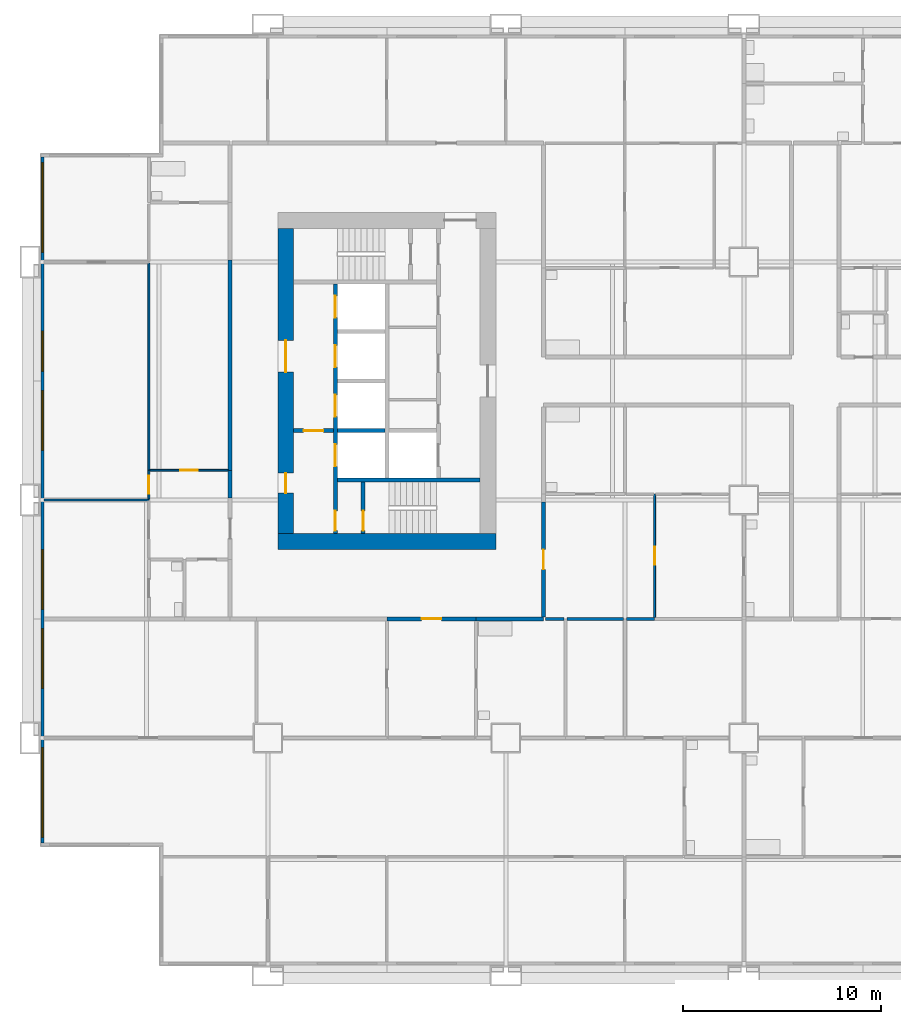
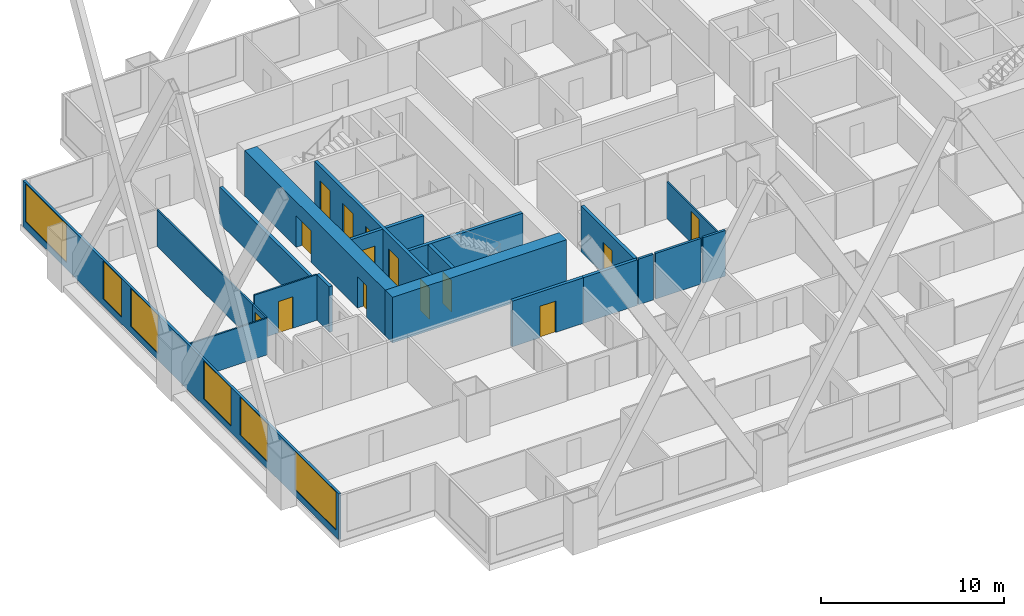
# One storey, part 3 of 13: 21 walls, 14 doors, 6 windows, 20 openings.
"""IFC4 building model written with IfcOpenShell, lengths in metres."""

from ifc_helpers import new_model, si_unit, direction, frame, frame_2d, origin, place, context, subcontext, project, spatial, rectangle, extrude, material, layer, layer_set, type_object, element, fill, save


model = new_model("IFC4")

# Units and contexts
model_context = context("Model", 3, precision=1e-05, world=origin(), true_north=direction((0.0, 1.0)))
body_context = subcontext(model_context, "Body", "Model", "MODEL_VIEW")
ifc_project = project(units=[si_unit("LENGTHUNIT", "METRE"), si_unit("AREAUNIT", "SQUARE_METRE"), si_unit("VOLUMEUNIT", "CUBIC_METRE"), si_unit("PLANEANGLEUNIT", "RADIAN"), si_unit("MASSUNIT", "GRAM", prefix="KILO")], contexts=[model_context])

# Site, building, storey
site_placement = place(None, origin())
site = spatial("IfcSite", under=ifc_project, at=site_placement, CompositionType="ELEMENT")
building_placement = place(site_placement, origin())
building = spatial("IfcBuilding", under=site, at=building_placement, Name="Kitamizu Gate Tower and Museum", CompositionType="ELEMENT")
storey_placement = place(building_placement, frame((0.0, 0.0, 71.39990234375)))
storey = spatial("IfcBuildingStorey", under=building, at=storey_placement, Name="L17", CompositionType="ELEMENT", Elevation=71.39990234375)

# Wall
ifc_material_1 = material(Name="Concrete Fc60", Category="concrete")
ifc_layer_1 = layer(ifc_material_1, 0.800048828125)
ifc_layer_set_1 = layer_set([ifc_layer_1], Name="Concrete Fc60")
wall_type_1 = type_object("IfcWallType", Name="Core wall 800", PredefinedType="SHEAR", material=ifc_layer_set_1)
wall_1_placement = place(storey_placement, frame((12.5, 21.89990234375, 0.0), z_axis=(0.0, 0.0, 1.0), x_axis=(1.0, 0.0, 0.0)))
element("IfcWall", 1, at=wall_1_placement, inside=storey, type_object=wall_type_1, Name="Core wall WS", PredefinedType="SHEAR", context=body_context, shape_type="SweptSolid", body=[
    extrude(rectangle(XDim=11.0, YDim=0.800048828125, at=frame_2d((5.5, 0.0))), origin(), (0.0, 0.0, 1.0), 3.050048828125),
])

# Wall, openings, doors
wall_2_placement = place(storey_placement, frame((12.89990234375, 22.300048828125, 0.0), z_axis=(0.0, 0.0, 1.0), x_axis=(0.0, 1.0, 0.0)))
wall_2 = element("IfcWall", 2, at=wall_2_placement, inside=storey, type_object=wall_type_1, Name="Core wall WOUT", PredefinedType="SHEAR", context=body_context, shape_type="SweptSolid", body=[
    extrude(rectangle(XDim=15.39990234375, YDim=0.800048828125, at=frame_2d((7.699951171875, 0.0))), origin(), (0.0, 0.0, 1.0), 3.050048828125),
])
opening_1_placement = place(wall_2_placement, frame((8.14990234375, 0.0, 0.0)))
opening_1 = element("IfcOpeningElement", 3, at=opening_1_placement, cuts=wall_2, Name="Opening L17-076", PredefinedType="OPENING", context=body_context, shape_type="SweptSolid", body=[
    extrude(rectangle(XDim=1.60009765625, YDim=2.10009765625, at=frame_2d((0.800048828125, 1.050048828125))), frame((0.0, 0.41015625, 0.0), z_axis=(0.0, -1.0, 0.0), x_axis=(1.0, 0.0, 0.0)), (0.0, 0.0, 1.0), 0.820068359375),
])
opening_2_placement = place(wall_2_placement, frame((2.050048828125, 0.0, 0.0)))
opening_2 = element("IfcOpeningElement", 4, at=opening_2_placement, cuts=wall_2, Name="Opening L17-077", PredefinedType="OPENING", context=body_context, shape_type="SweptSolid", body=[
    extrude(rectangle(XDim=1.0, YDim=2.10009765625, at=frame_2d((0.5, 1.050048828125))), frame((0.0, 0.41015625, 0.0), z_axis=(0.0, -1.0, 0.0), x_axis=(1.0, 0.0, 0.0)), (0.0, 0.0, 1.0), 0.820068359375),
])
ifc_material_2 = material(Name="Timber door set", Category="wood")
door_type_1 = type_object("IfcDoorType", Name="Entrance door 1600", OperationType="DOUBLE_DOOR_SINGLE_SWING", PredefinedType="DOOR", material=ifc_material_2)
door_1_placement = place(opening_1_placement, origin())
door_1 = element("IfcDoor", 5, at=door_1_placement, inside=storey, type_object=door_type_1, Name="Lobby door L17-076", OperationType="DOUBLE_DOOR_SINGLE_SWING", OverallHeight=2.10009765625, OverallWidth=1.60009765625, PredefinedType="DOOR", context=body_context, shape_type="SweptSolid", body=[
    extrude(rectangle(XDim=1.60009765625, YDim=2.10009765625, at=frame_2d((0.800048828125, 1.050048828125))), frame((0.0, 0.02490234375, 0.0), z_axis=(0.0, -1.0, 0.0), x_axis=(1.0, 0.0, 0.0)), (0.0, 0.0, 1.0), 0.050048828125),
])
fill(opening_1, door_1)
ifc_material_3 = material(Name="Hollow metal door set")
door_type_2 = type_object("IfcDoorType", Name="Fire door 1000", OperationType="NOTDEFINED", PredefinedType="DOOR", material=ifc_material_3)
door_2_placement = place(opening_2_placement, frame((1.0, 0.0, 0.0), x_axis=(-1.0, 0.0, 0.0)))
door_2 = element("IfcDoor", 6, at=door_2_placement, inside=storey, type_object=door_type_2, Name="Fire-fighting lobby door L17-077", OperationType="SINGLE_SWING_RIGHT", OverallHeight=2.10009765625, OverallWidth=1.0, PredefinedType="DOOR", context=body_context, shape_type="SweptSolid", body=[
    extrude(rectangle(XDim=1.0, YDim=2.10009765625, at=frame_2d((0.5, 1.050048828125))), frame((0.0, 0.02490234375, 0.0), z_axis=(0.0, -1.0, 0.0), x_axis=(1.0, 0.0, 0.0)), (0.0, 0.0, 1.0), 0.050048828125),
])
fill(opening_2, door_2)

# Wall, opening, door
ifc_material_4 = material(Name="Gypsum board on galvanised stud")
ifc_layer_2 = layer(ifc_material_4, 0.10009765625)
ifc_layer_set_2 = layer_set([ifc_layer_2], Name="Gypsum board on galvanised stud")
wall_type_2 = type_object("IfcWallType", Name="Partition 100 NOT RATED", PredefinedType="PARTITIONING", material=ifc_layer_set_2)
wall_3_placement = place(storey_placement, frame((31.5, 18.074951171875, 0.0), z_axis=(0.0, 0.0, 1.0), x_axis=(0.0, 1.0, 0.0)))
wall_3 = element("IfcWall", 7, at=wall_3_placement, inside=storey, type_object=wall_type_2, Name="Partition L17-038", PredefinedType="PARTITIONING", context=body_context, shape_type="SweptSolid", body=[
    extrude(rectangle(XDim=6.22509765625, YDim=0.10009765625, at=frame_2d((3.112548828125, 0.0))), origin(), (0.0, 0.0, 1.0), 2.4501953125),
])
opening_3_placement = place(wall_3_placement, frame((2.66259765625, 0.0, 0.0)))
opening_3 = element("IfcOpeningElement", 8, at=opening_3_placement, cuts=wall_3, Name="Opening L17-014", PredefinedType="OPENING", context=body_context, shape_type="SweptSolid", body=[
    extrude(rectangle(XDim=0.89990234375, YDim=2.10009765625, at=frame_2d((0.449951171875, 1.050048828125))), frame((0.0, 0.06005859375, 0.0), z_axis=(0.0, -1.0, 0.0), x_axis=(1.0, 0.0, 0.0)), (0.0, 0.0, 1.0), 0.1201171875),
])
ifc_material_5 = material(Name="Timber door set", Category="wood")
door_type_3 = type_object("IfcDoorType", Name="Room door 900", OperationType="NOTDEFINED", PredefinedType="DOOR", material=ifc_material_5)
door_3_placement = place(opening_3_placement, frame((0.89990234375, 0.0, 0.0), x_axis=(-1.0, 0.0, 0.0)))
door_3 = element("IfcDoor", 9, at=door_3_placement, inside=storey, type_object=door_type_3, Name="Door L17-014", OperationType="SINGLE_SWING_LEFT", OverallHeight=2.10009765625, OverallWidth=0.89990234375, PredefinedType="DOOR", context=body_context, shape_type="SweptSolid", body=[
    extrude(rectangle(XDim=0.89990234375, YDim=2.10009765625, at=frame_2d((0.449951171875, 1.050048828125))), frame((0.0, 0.02490234375, 0.0), z_axis=(0.0, -1.0, 0.0), x_axis=(1.0, 0.0, 0.0)), (0.0, 0.0, 1.0), 0.050048828125),
])
fill(opening_3, door_3)

# Wall
wall_4_placement = place(storey_placement, frame((6.0, 24.0, 0.0), z_axis=(0.0, 0.0, 1.0), x_axis=(-1.0, 0.0, 0.0)))
element("IfcWall", 10, at=wall_4_placement, inside=storey, type_object=wall_type_2, Name="Partition L17-054", PredefinedType="PARTITIONING", context=body_context, shape_type="SweptSolid", body=[
    extrude(rectangle(XDim=5.280029296875, YDim=0.10009765625, at=frame_2d((2.64013671875, 0.0))), origin(), (0.0, 0.0, 1.0), 2.4501953125),
])

# Wall, opening, door
wall_5_placement = place(storey_placement, frame((6.0, 24.050048828125, 0.0), z_axis=(0.0, 0.0, 1.0), x_axis=(0.0, 1.0, 0.0)))
wall_5 = element("IfcWall", 11, at=wall_5_placement, inside=storey, type_object=wall_type_2, Name="Partition L17-058", PredefinedType="PARTITIONING", context=body_context, shape_type="SweptSolid", body=[
    extrude(rectangle(XDim=1.449951171875, YDim=0.10009765625, at=frame_2d((0.72509765625, 0.0))), origin(), (0.0, 0.0, 1.0), 2.4501953125),
])
opening_4_placement = place(wall_5_placement, frame((0.27490234375, 0.0, 0.0)))
opening_4 = element("IfcOpeningElement", 12, at=opening_4_placement, cuts=wall_5, Name="Opening L17-020", PredefinedType="OPENING", context=body_context, shape_type="SweptSolid", body=[
    extrude(rectangle(XDim=0.89990234375, YDim=2.10009765625, at=frame_2d((0.449951171875, 1.050048828125))), frame((0.0, 0.06005859375, 0.0), z_axis=(0.0, -1.0, 0.0), x_axis=(1.0, 0.0, 0.0)), (0.0, 0.0, 1.0), 0.1201171875),
])
door_4_placement = place(opening_4_placement, origin())
door_4 = element("IfcDoor", 13, at=door_4_placement, inside=storey, type_object=door_type_3, Name="Door L17-020", OperationType="SINGLE_SWING_RIGHT", OverallHeight=2.10009765625, OverallWidth=0.89990234375, PredefinedType="DOOR", context=body_context, shape_type="SweptSolid", body=[
    extrude(rectangle(XDim=0.89990234375, YDim=2.10009765625, at=frame_2d((0.449951171875, 1.050048828125))), frame((0.0, 0.02490234375, 0.0), z_axis=(0.0, -1.0, 0.0), x_axis=(1.0, 0.0, 0.0)), (0.0, 0.0, 1.0), 0.050048828125),
])
fill(opening_4, door_4)

# Wall
wall_6_placement = place(storey_placement, frame((6.0, 25.5, 0.0), z_axis=(0.0, 0.0, 1.0), x_axis=(0.0, 1.0, 0.0)))
element("IfcWall", 14, at=wall_6_placement, inside=storey, type_object=wall_type_2, Name="Partition L17-059", PredefinedType="PARTITIONING", context=body_context, shape_type="SweptSolid", body=[
    extrude(rectangle(XDim=10.449951171875, YDim=0.10009765625, at=frame_2d((5.22509765625, 0.0))), origin(), (0.0, 0.0, 1.0), 2.4501953125),
])

# Wall, opening, door
wall_7_placement = place(storey_placement, frame((10.0, 25.5, 0.0), z_axis=(0.0, 0.0, 1.0), x_axis=(-1.0, 0.0, 0.0)))
wall_7 = element("IfcWall", 15, at=wall_7_placement, inside=storey, type_object=wall_type_2, Name="Partition L17-066", PredefinedType="PARTITIONING", context=body_context, shape_type="SweptSolid", body=[
    extrude(rectangle(XDim=3.949951171875, YDim=0.10009765625, at=frame_2d((1.97509765625, 0.0))), origin(), (0.0, 0.0, 1.0), 3.050048828125),
])
opening_5_placement = place(wall_7_placement, frame((1.52490234375, 0.0, 0.0)))
opening_5 = element("IfcOpeningElement", 16, at=opening_5_placement, cuts=wall_7, Name="Opening L17-021", PredefinedType="OPENING", context=body_context, shape_type="SweptSolid", body=[
    extrude(rectangle(XDim=0.89990234375, YDim=2.10009765625, at=frame_2d((0.449951171875, 1.050048828125))), frame((0.0, 0.06005859375, 0.0), z_axis=(0.0, -1.0, 0.0), x_axis=(1.0, 0.0, 0.0)), (0.0, 0.0, 1.0), 0.1201171875),
])
door_5_placement = place(opening_5_placement, origin())
door_5 = element("IfcDoor", 17, at=door_5_placement, inside=storey, type_object=door_type_3, Name="Door L17-021", OperationType="SINGLE_SWING_RIGHT", OverallHeight=2.10009765625, OverallWidth=0.89990234375, PredefinedType="DOOR", context=body_context, shape_type="SweptSolid", body=[
    extrude(rectangle(XDim=0.89990234375, YDim=2.10009765625, at=frame_2d((0.449951171875, 1.050048828125))), frame((0.0, 0.02490234375, 0.0), z_axis=(0.0, -1.0, 0.0), x_axis=(1.0, 0.0, 0.0)), (0.0, 0.0, 1.0), 0.050048828125),
])
fill(opening_5, door_5)

# Walls
ifc_material_6 = material(Name="Gypsum board on galvanised stud")
ifc_layer_3 = layer(ifc_material_6, 0.14990234375)
ifc_layer_set_3 = layer_set([ifc_layer_3], Name="Gypsum board on galvanised stud")
wall_type_3 = type_object("IfcWallType", Name="Partition 150", PredefinedType="PARTITIONING", material=ifc_layer_set_3)
wall_8_placement = place(storey_placement, frame((26.925048828125, 18.0, 0.0), z_axis=(0.0, 0.0, 1.0), x_axis=(-1.0, 0.0, 0.0)))
element("IfcWall", 18, at=wall_8_placement, inside=storey, type_object=wall_type_3, Name="Partition L17-031", PredefinedType="PARTITIONING", context=body_context, shape_type="SweptSolid", body=[
    extrude(rectangle(XDim=0.925048828125, YDim=0.14990234375, at=frame_2d((0.46240234375, 0.0))), origin(), (0.0, 0.0, 1.0), 3.050048828125),
])
wall_9_placement = place(storey_placement, frame((29.925048828125, 18.0, 0.0), z_axis=(0.0, 0.0, 1.0), x_axis=(-1.0, 0.0, 0.0)))
element("IfcWall", 19, at=wall_9_placement, inside=storey, type_object=wall_type_3, Name="Partition L17-034", PredefinedType="PARTITIONING", context=body_context, shape_type="SweptSolid", body=[
    extrude(rectangle(XDim=2.85009765625, YDim=0.14990234375, at=frame_2d((1.425048828125, 0.0))), origin(), (0.0, 0.0, 1.0), 3.050048828125),
])
wall_10_placement = place(storey_placement, frame((31.5, 18.0, 0.0), z_axis=(0.0, 0.0, 1.0), x_axis=(-1.0, 0.0, 0.0)))
element("IfcWall", 20, at=wall_10_placement, inside=storey, type_object=wall_type_3, Name="Partition L17-035", PredefinedType="PARTITIONING", context=body_context, shape_type="SweptSolid", body=[
    extrude(rectangle(XDim=1.425048828125, YDim=0.14990234375, at=frame_2d((0.71240234375, 0.0))), origin(), (0.0, 0.0, 1.0), 3.050048828125),
])

# Wall, opening, door
ifc_material_7 = material(Name="Gypsum board on galvanised stud")
ifc_layer_4 = layer(ifc_material_7, 0.199951171875)
ifc_layer_set_4 = layer_set([ifc_layer_4], Name="Gypsum board on galvanised stud")
wall_type_4 = type_object("IfcWallType", Name="Partition 200", PredefinedType="PARTITIONING", material=ifc_layer_set_4)
wall_11_placement = place(storey_placement, frame((22.5, 18.0, 0.0), z_axis=(0.0, 0.0, 1.0), x_axis=(-1.0, 0.0, 0.0)))
wall_11 = element("IfcWall", 21, at=wall_11_placement, inside=storey, type_object=wall_type_4, Name="Partition L17-029", PredefinedType="PARTITIONING", context=body_context, shape_type="SweptSolid", body=[
    extrude(rectangle(XDim=4.5, YDim=0.199951171875, at=frame_2d((2.25, 0.0))), origin(), (0.0, 0.0, 1.0), 3.050048828125),
])
opening_6_placement = place(wall_11_placement, frame((1.75, 0.0, 0.0)))
opening_6 = element("IfcOpeningElement", 22, at=opening_6_placement, cuts=wall_11, Name="Opening L17-001", PredefinedType="OPENING", context=body_context, shape_type="SweptSolid", body=[
    extrude(rectangle(XDim=1.0, YDim=2.10009765625, at=frame_2d((0.5, 1.050048828125))), frame((0.0, 0.10986328125, 0.0), z_axis=(0.0, -1.0, 0.0), x_axis=(1.0, 0.0, 0.0)), (0.0, 0.0, 1.0), 0.219970703125),
])
ifc_material_8 = material(Name="Timber door set", Category="wood")
door_type_4 = type_object("IfcDoorType", Name="Flat entrance door 1000", OperationType="NOTDEFINED", PredefinedType="DOOR", material=ifc_material_8)
door_6_placement = place(opening_6_placement, origin())
door_6 = element("IfcDoor", 23, at=door_6_placement, inside=storey, type_object=door_type_4, Name="Flat entrance door L17-001", OperationType="SINGLE_SWING_RIGHT", OverallHeight=2.10009765625, OverallWidth=1.0, PredefinedType="DOOR", context=body_context, shape_type="SweptSolid", body=[
    extrude(rectangle(XDim=1.0, YDim=2.10009765625, at=frame_2d((0.5, 1.050048828125))), frame((0.0, 0.02490234375, 0.0), z_axis=(0.0, -1.0, 0.0), x_axis=(1.0, 0.0, 0.0)), (0.0, 0.0, 1.0), 0.050048828125),
])
fill(opening_6, door_6)

# Wall
wall_12_placement = place(storey_placement, frame((25.89990234375, 18.0, 0.0), z_axis=(0.0, 0.0, 1.0), x_axis=(-1.0, 0.0, 0.0)))
element("IfcWall", 24, at=wall_12_placement, inside=storey, type_object=wall_type_4, Name="Partition L17-032", PredefinedType="PARTITIONING", context=body_context, shape_type="SweptSolid", body=[
    extrude(rectangle(XDim=3.39990234375, YDim=0.199951171875, at=frame_2d((1.699951171875, 0.0))), origin(), (0.0, 0.0, 1.0), 3.050048828125),
])

# Wall, opening, door
wall_13_placement = place(storey_placement, frame((25.89990234375, 23.89990234375, 0.0), z_axis=(0.0, 0.0, 1.0), x_axis=(0.0, -1.0, 0.0)))
wall_13 = element("IfcWall", 25, at=wall_13_placement, inside=storey, type_object=wall_type_4, Name="Partition L17-042", PredefinedType="PARTITIONING", context=body_context, shape_type="SweptSolid", body=[
    extrude(rectangle(XDim=5.7998046875, YDim=0.199951171875, at=frame_2d((2.89990234375, 0.0))), origin(), (0.0, 0.0, 1.0), 3.050048828125),
])
opening_7_placement = place(wall_13_placement, frame((2.39990234375, 0.0, 0.0)))
opening_7 = element("IfcOpeningElement", 26, at=opening_7_placement, cuts=wall_13, Name="Opening L17-013", PredefinedType="OPENING", context=body_context, shape_type="SweptSolid", body=[
    extrude(rectangle(XDim=1.0, YDim=2.10009765625, at=frame_2d((0.5, 1.050048828125))), frame((0.0, 0.10986328125, 0.0), z_axis=(0.0, -1.0, 0.0), x_axis=(1.0, 0.0, 0.0)), (0.0, 0.0, 1.0), 0.219970703125),
])
door_7_placement = place(opening_7_placement, origin())
door_7 = element("IfcDoor", 27, at=door_7_placement, inside=storey, type_object=door_type_4, Name="Flat entrance door L17-013", OperationType="SINGLE_SWING_LEFT", OverallHeight=2.10009765625, OverallWidth=1.0, PredefinedType="DOOR", context=body_context, shape_type="SweptSolid", body=[
    extrude(rectangle(XDim=1.0, YDim=2.10009765625, at=frame_2d((0.5, 1.050048828125))), frame((0.0, 0.02490234375, 0.0), z_axis=(0.0, -1.0, 0.0), x_axis=(1.0, 0.0, 0.0)), (0.0, 0.0, 1.0), 0.050048828125),
])
fill(opening_7, door_7)

# Walls
wall_14_placement = place(storey_placement, frame((10.10009765625, 24.10009765625, 0.0), z_axis=(0.0, 0.0, 1.0), x_axis=(0.0, 1.0, 0.0)))
element("IfcWall", 28, at=wall_14_placement, inside=storey, type_object=wall_type_4, Name="Partition L17-068", PredefinedType="PARTITIONING", context=body_context, shape_type="SweptSolid", body=[
    extrude(rectangle(XDim=1.39990234375, YDim=0.199951171875, at=frame_2d((0.699951171875, 0.0))), origin(), (0.0, 0.0, 1.0), 3.050048828125),
])
wall_15_placement = place(storey_placement, frame((10.10009765625, 25.5, 0.0), z_axis=(0.0, 0.0, 1.0), x_axis=(0.0, 1.0, 0.0)))
element("IfcWall", 29, at=wall_15_placement, inside=storey, type_object=wall_type_4, Name="Partition L17-070", PredefinedType="PARTITIONING", context=body_context, shape_type="SweptSolid", body=[
    extrude(rectangle(XDim=10.60009765625, YDim=0.199951171875, at=frame_2d((5.300048828125, 0.0))), origin(), (0.0, 0.0, 1.0), 2.4501953125),
])

# Wall, openings, doors
ifc_material_9 = material(Name="Concrete Fc42", Category="concrete")
ifc_layer_5 = layer(ifc_material_9, 0.199951171875)
ifc_layer_set_5 = layer_set([ifc_layer_5], Name="Concrete Fc42")
wall_type_5 = type_object("IfcWallType", Name="Shaft wall 200", PredefinedType="SOLIDWALL", material=ifc_layer_set_5)
wall_16_placement = place(storey_placement, frame((15.39990234375, 22.300048828125, 0.0), z_axis=(0.0, 0.0, 1.0), x_axis=(0.0, 1.0, 0.0)))
wall_16 = element("IfcWall", 30, at=wall_16_placement, inside=storey, type_object=wall_type_5, Name="Shaft wall WWEST", PredefinedType="SOLIDWALL", context=body_context, shape_type="SweptSolid", body=[
    extrude(rectangle(XDim=12.599853515625, YDim=0.199951171875, at=frame_2d((6.2998046875, 0.0))), origin(), (0.0, 0.0, 1.0), 3.050048828125),
])
opening_8_placement = place(wall_16_placement, frame((3.39990234375, 0.0, 0.0)))
opening_8 = element("IfcOpeningElement", 31, at=opening_8_placement, cuts=wall_16, Name="Opening LD", PredefinedType="OPENING", context=body_context, shape_type="SweptSolid", body=[
    extrude(rectangle(XDim=1.10009765625, YDim=2.10009765625, at=frame_2d((0.550048828125, 1.050048828125))), frame((0.0, 0.10986328125, 0.0), z_axis=(0.0, -1.0, 0.0), x_axis=(1.0, 0.0, 0.0)), (0.0, 0.0, 1.0), 0.219970703125),
])
opening_9_placement = place(wall_16_placement, frame((5.89990234375, 0.0, 0.0)))
opening_9 = element("IfcOpeningElement", 32, at=opening_9_placement, cuts=wall_16, Name="Opening LD", PredefinedType="OPENING", context=body_context, shape_type="SweptSolid", body=[
    extrude(rectangle(XDim=1.10009765625, YDim=2.10009765625, at=frame_2d((0.550048828125, 1.050048828125))), frame((0.0, 0.10986328125, 0.0), z_axis=(0.0, -1.0, 0.0), x_axis=(1.0, 0.0, 0.0)), (0.0, 0.0, 1.0), 0.219970703125),
])
opening_10_placement = place(wall_16_placement, frame((8.39990234375, 0.0, 0.0)))
opening_10 = element("IfcOpeningElement", 33, at=opening_10_placement, cuts=wall_16, Name="Opening LD", PredefinedType="OPENING", context=body_context, shape_type="SweptSolid", body=[
    extrude(rectangle(XDim=1.10009765625, YDim=2.10009765625, at=frame_2d((0.550048828125, 1.050048828125))), frame((0.0, 0.10986328125, 0.0), z_axis=(0.0, -1.0, 0.0), x_axis=(1.0, 0.0, 0.0)), (0.0, 0.0, 1.0), 0.219970703125),
])
opening_11_placement = place(wall_16_placement, frame((10.89990234375, 0.0, 0.0)))
opening_11 = element("IfcOpeningElement", 34, at=opening_11_placement, cuts=wall_16, Name="Opening LD", PredefinedType="OPENING", context=body_context, shape_type="SweptSolid", body=[
    extrude(rectangle(XDim=1.10009765625, YDim=2.10009765625, at=frame_2d((0.550048828125, 1.050048828125))), frame((0.0, 0.10986328125, 0.0), z_axis=(0.0, -1.0, 0.0), x_axis=(1.0, 0.0, 0.0)), (0.0, 0.0, 1.0), 0.219970703125),
])
opening_12_placement = place(wall_16_placement, frame((0.14990234375, 0.0, 0.0)))
opening_12 = element("IfcOpeningElement", 35, at=opening_12_placement, cuts=wall_16, Name="Opening L17-072", PredefinedType="OPENING", context=body_context, shape_type="SweptSolid", body=[
    extrude(rectangle(XDim=1.0, YDim=2.10009765625, at=frame_2d((0.5, 1.050048828125))), frame((0.0, 0.10986328125, 0.0), z_axis=(0.0, -1.0, 0.0), x_axis=(1.0, 0.0, 0.0)), (0.0, 0.0, 1.0), 0.219970703125),
])
door_8_placement = place(opening_12_placement, frame((1.0, 0.0, 0.0), x_axis=(-1.0, 0.0, 0.0)))
door_8 = element("IfcDoor", 36, at=door_8_placement, inside=storey, type_object=door_type_2, Name="Stair lobby door L17-072", OperationType="SINGLE_SWING_LEFT", OverallHeight=2.10009765625, OverallWidth=1.0, PredefinedType="DOOR", context=body_context, shape_type="SweptSolid", body=[
    extrude(rectangle(XDim=1.0, YDim=2.10009765625, at=frame_2d((0.5, 1.050048828125))), frame((0.0, 0.02490234375, 0.0), z_axis=(0.0, -1.0, 0.0), x_axis=(1.0, 0.0, 0.0)), (0.0, 0.0, 1.0), 0.050048828125),
])
fill(opening_12, door_8)
ifc_material_10 = material(Name="Hollow metal door set")
door_type_5 = type_object("IfcDoorType", Name="Landing door 1100", OperationType="SLIDING_TO_LEFT", PredefinedType="DOOR", material=ifc_material_10)
door_9_placement = place(opening_8_placement, origin())
door_9 = element("IfcDoor", 37, at=door_9_placement, inside=storey, type_object=door_type_5, Name="Landing door WFF1", OperationType="SLIDING_TO_LEFT", OverallHeight=2.10009765625, OverallWidth=1.10009765625, PredefinedType="DOOR", context=body_context, shape_type="SweptSolid", body=[
    extrude(rectangle(XDim=1.10009765625, YDim=2.10009765625, at=frame_2d((0.550048828125, 1.050048828125))), frame((0.0, 0.02490234375, 0.0), z_axis=(0.0, -1.0, 0.0), x_axis=(1.0, 0.0, 0.0)), (0.0, 0.0, 1.0), 0.050048828125),
])
fill(opening_8, door_9)
door_10_placement = place(opening_9_placement, origin())
door_10 = element("IfcDoor", 38, at=door_10_placement, inside=storey, type_object=door_type_5, Name="Landing door WL1", OperationType="SLIDING_TO_LEFT", OverallHeight=2.10009765625, OverallWidth=1.10009765625, PredefinedType="DOOR", context=body_context, shape_type="SweptSolid", body=[
    extrude(rectangle(XDim=1.10009765625, YDim=2.10009765625, at=frame_2d((0.550048828125, 1.050048828125))), frame((0.0, 0.02490234375, 0.0), z_axis=(0.0, -1.0, 0.0), x_axis=(1.0, 0.0, 0.0)), (0.0, 0.0, 1.0), 0.050048828125),
])
fill(opening_9, door_10)
door_11_placement = place(opening_10_placement, origin())
door_11 = element("IfcDoor", 39, at=door_11_placement, inside=storey, type_object=door_type_5, Name="Landing door WL2", OperationType="SLIDING_TO_LEFT", OverallHeight=2.10009765625, OverallWidth=1.10009765625, PredefinedType="DOOR", context=body_context, shape_type="SweptSolid", body=[
    extrude(rectangle(XDim=1.10009765625, YDim=2.10009765625, at=frame_2d((0.550048828125, 1.050048828125))), frame((0.0, 0.02490234375, 0.0), z_axis=(0.0, -1.0, 0.0), x_axis=(1.0, 0.0, 0.0)), (0.0, 0.0, 1.0), 0.050048828125),
])
fill(opening_10, door_11)
door_12_placement = place(opening_11_placement, origin())
door_12 = element("IfcDoor", 40, at=door_12_placement, inside=storey, type_object=door_type_5, Name="Landing door WL3", OperationType="SLIDING_TO_LEFT", OverallHeight=2.10009765625, OverallWidth=1.10009765625, PredefinedType="DOOR", context=body_context, shape_type="SweptSolid", body=[
    extrude(rectangle(XDim=1.10009765625, YDim=2.10009765625, at=frame_2d((0.550048828125, 1.050048828125))), frame((0.0, 0.02490234375, 0.0), z_axis=(0.0, -1.0, 0.0), x_axis=(1.0, 0.0, 0.0)), (0.0, 0.0, 1.0), 0.050048828125),
])
fill(opening_11, door_12)

# Wall
wall_17_placement = place(storey_placement, frame((15.5, 25.0, 0.0), z_axis=(0.0, 0.0, 1.0), x_axis=(1.0, 0.0, 0.0)))
element("IfcWall", 41, at=wall_17_placement, inside=storey, type_object=wall_type_5, Name="Shaft wall WSB", PredefinedType="SOLIDWALL", context=body_context, shape_type="SweptSolid", body=[
    extrude(rectangle(XDim=7.199951171875, YDim=0.199951171875, at=frame_2d((3.60009765625, 0.0))), origin(), (0.0, 0.0, 1.0), 3.050048828125),
])

# Wall, opening, door
wall_18_placement = place(storey_placement, frame((13.300048828125, 27.5, 0.0), z_axis=(0.0, 0.0, 1.0), x_axis=(1.0, 0.0, 0.0)))
wall_18 = element("IfcWall", 42, at=wall_18_placement, inside=storey, type_object=wall_type_5, Name="Shaft wall WFFN", PredefinedType="SOLIDWALL", context=body_context, shape_type="SweptSolid", body=[
    extrude(rectangle(XDim=2.0, YDim=0.199951171875, at=frame_2d((1.0, 0.0))), origin(), (0.0, 0.0, 1.0), 3.050048828125),
])
opening_13_placement = place(wall_18_placement, frame((0.5, 0.0, 0.0)))
opening_13 = element("IfcOpeningElement", 43, at=opening_13_placement, cuts=wall_18, Name="Opening L17-075", PredefinedType="OPENING", context=body_context, shape_type="SweptSolid", body=[
    extrude(rectangle(XDim=1.0, YDim=2.10009765625, at=frame_2d((0.5, 1.050048828125))), frame((0.0, 0.10986328125, 0.0), z_axis=(0.0, -1.0, 0.0), x_axis=(1.0, 0.0, 0.0)), (0.0, 0.0, 1.0), 0.219970703125),
])
door_13_placement = place(opening_13_placement, frame((1.0, 0.0, 0.0), x_axis=(-1.0, 0.0, 0.0)))
door_13 = element("IfcDoor", 44, at=door_13_placement, inside=storey, type_object=door_type_2, Name="Fire-fighting lobby door L17-075", OperationType="SINGLE_SWING_LEFT", OverallHeight=2.10009765625, OverallWidth=1.0, PredefinedType="DOOR", context=body_context, shape_type="SweptSolid", body=[
    extrude(rectangle(XDim=1.0, YDim=2.10009765625, at=frame_2d((0.5, 1.050048828125))), frame((0.0, 0.02490234375, 0.0), z_axis=(0.0, -1.0, 0.0), x_axis=(1.0, 0.0, 0.0)), (0.0, 0.0, 1.0), 0.050048828125),
])
fill(opening_13, door_13)

wall_19_placement = place(storey_placement, frame((16.800048828125, 22.300048828125, 0.0), z_axis=(0.0, 0.0, 1.0), x_axis=(0.0, 1.0, 0.0)))
wall_19 = element("IfcWall", 45, at=wall_19_placement, inside=storey, type_object=wall_type_5, Name="Shaft wall WSZ", PredefinedType="SOLIDWALL", context=body_context, shape_type="SweptSolid", body=[
    extrude(rectangle(XDim=2.599853515625, YDim=0.199951171875, at=frame_2d((1.2998046875, 0.0))), origin(), (0.0, 0.0, 1.0), 3.050048828125),
])
opening_14_placement = place(wall_19_placement, frame((0.14990234375, 0.0, 0.0)))
opening_14 = element("IfcOpeningElement", 46, at=opening_14_placement, cuts=wall_19, Name="Opening L17-071", PredefinedType="OPENING", context=body_context, shape_type="SweptSolid", body=[
    extrude(rectangle(XDim=1.0, YDim=2.10009765625, at=frame_2d((0.5, 1.050048828125))), frame((0.0, 0.10986328125, 0.0), z_axis=(0.0, -1.0, 0.0), x_axis=(1.0, 0.0, 0.0)), (0.0, 0.0, 1.0), 0.219970703125),
])
door_14_placement = place(opening_14_placement, frame((1.0, 0.0, 0.0), x_axis=(-1.0, 0.0, 0.0)))
door_14 = element("IfcDoor", 47, at=door_14_placement, inside=storey, type_object=door_type_2, Name="Stair door L17-071", OperationType="SINGLE_SWING_LEFT", OverallHeight=2.10009765625, OverallWidth=1.0, PredefinedType="DOOR", context=body_context, shape_type="SweptSolid", body=[
    extrude(rectangle(XDim=1.0, YDim=2.10009765625, at=frame_2d((0.5, 1.050048828125))), frame((0.0, 0.02490234375, 0.0), z_axis=(0.0, -1.0, 0.0), x_axis=(1.0, 0.0, 0.0)), (0.0, 0.0, 1.0), 0.050048828125),
])
fill(opening_14, door_14)

# Wall
wall_20_placement = place(storey_placement, frame((15.5, 27.5, 0.0), z_axis=(0.0, 0.0, 1.0), x_axis=(1.0, 0.0, 0.0)))
element("IfcWall", 48, at=wall_20_placement, inside=storey, type_object=wall_type_5, Name="Shaft wall WDVW0", PredefinedType="SOLIDWALL", context=body_context, shape_type="SweptSolid", body=[
    extrude(rectangle(XDim=2.39990234375, YDim=0.199951171875, at=frame_2d((1.199951171875, 0.0))), origin(), (0.0, 0.0, 1.0), 3.050048828125),
])

# Wall, openings, windows
ifc_material_11 = material(Name="Bronze anodised aluminium frame with insulated spandrel and tinted glass", Category="aluminium")
ifc_layer_6 = layer(ifc_material_11, 0.14990234375)
ifc_layer_set_6 = layer_set([ifc_layer_6], Name="Bronze anodised aluminium frame with insulated spandrel and tinted glass")
wall_type_6 = type_object("IfcWallType", Name="WINDOW WALL 150 BRONZE FRAME EI 30", PredefinedType="ELEMENTEDWALL", material=ifc_layer_set_6)
wall_21_placement = place(storey_placement, frame((0.635009765625, 6.7099609375, 0.0), z_axis=(0.0, 0.0, 1.0), x_axis=(0.0, 1.0, 0.0)))
wall_21 = element("IfcWall", 49, at=wall_21_placement, inside=storey, type_object=wall_type_6, Name="Window wall west L17", PredefinedType="ELEMENTEDWALL", context=body_context, shape_type="SweptSolid", body=[
    extrude(rectangle(XDim=34.580078125, YDim=0.14990234375, at=frame_2d((17.2900390625, 0.0))), origin(), (0.0, 0.0, 1.0), 3.050048828125),
])
opening_15_placement = place(wall_21_placement, frame((0.2900390625, 0.0, 0.449951171875)))
opening_15 = element("IfcOpeningElement", 50, at=opening_15_placement, cuts=wall_21, Name="Opening W15", PredefinedType="OPENING", context=body_context, shape_type="SweptSolid", body=[
    extrude(rectangle(XDim=4.5, YDim=2.550048828125, at=frame_2d((2.25, 1.27490234375))), frame((0.0, 0.0849609375, 0.0), z_axis=(0.0, -1.0, 0.0), x_axis=(1.0, 0.0, 0.0)), (0.0, 0.0, 1.0), 0.169921875),
])
opening_16_placement = place(wall_21_placement, frame((7.7900390625, 0.0, 0.449951171875)))
opening_16 = element("IfcOpeningElement", 51, at=opening_16_placement, cuts=wall_21, Name="Opening W33", PredefinedType="OPENING", context=body_context, shape_type="SweptSolid", body=[
    extrude(rectangle(XDim=3.0, YDim=2.550048828125, at=frame_2d((1.5, 1.27490234375))), frame((0.0, 0.0849609375, 0.0), z_axis=(0.0, -1.0, 0.0), x_axis=(1.0, 0.0, 0.0)), (0.0, 0.0, 1.0), 0.169921875),
])
opening_17_placement = place(wall_21_placement, frame((11.7900390625, 0.0, 0.449951171875)))
opening_17 = element("IfcOpeningElement", 52, at=opening_17_placement, cuts=wall_21, Name="Opening W33", PredefinedType="OPENING", context=body_context, shape_type="SweptSolid", body=[
    extrude(rectangle(XDim=3.0, YDim=2.550048828125, at=frame_2d((1.5, 1.27490234375))), frame((0.0, 0.0849609375, 0.0), z_axis=(0.0, -1.0, 0.0), x_axis=(1.0, 0.0, 0.0)), (0.0, 0.0, 1.0), 0.169921875),
])
opening_18_placement = place(wall_21_placement, frame((19.7900390625, 0.0, 0.449951171875)))
opening_18 = element("IfcOpeningElement", 53, at=opening_18_placement, cuts=wall_21, Name="Opening W33", PredefinedType="OPENING", context=body_context, shape_type="SweptSolid", body=[
    extrude(rectangle(XDim=3.0, YDim=2.550048828125, at=frame_2d((1.5, 1.27490234375))), frame((0.0, 0.0849609375, 0.0), z_axis=(0.0, -1.0, 0.0), x_axis=(1.0, 0.0, 0.0)), (0.0, 0.0, 1.0), 0.169921875),
])
opening_19_placement = place(wall_21_placement, frame((23.7900390625, 0.0, 0.449951171875)))
opening_19 = element("IfcOpeningElement", 54, at=opening_19_placement, cuts=wall_21, Name="Opening W2", PredefinedType="OPENING", context=body_context, shape_type="SweptSolid", body=[
    extrude(rectangle(XDim=2.0, YDim=2.550048828125, at=frame_2d((1.0, 1.27490234375))), frame((0.0, 0.0849609375, 0.0), z_axis=(0.0, -1.0, 0.0), x_axis=(1.0, 0.0, 0.0)), (0.0, 0.0, 1.0), 0.169921875),
])
opening_20_placement = place(wall_21_placement, frame((29.7900390625, 0.0, 0.449951171875)))
opening_20 = element("IfcOpeningElement", 55, at=opening_20_placement, cuts=wall_21, Name="Opening W15", PredefinedType="OPENING", context=body_context, shape_type="SweptSolid", body=[
    extrude(rectangle(XDim=4.5, YDim=2.550048828125, at=frame_2d((2.25, 1.27490234375))), frame((0.0, 0.0849609375, 0.0), z_axis=(0.0, -1.0, 0.0), x_axis=(1.0, 0.0, 0.0)), (0.0, 0.0, 1.0), 0.169921875),
])
ifc_material_12 = material(Name="Bronze anodised aluminium frame, tinted triple glazing", Category="aluminium")
window_type_1 = type_object("IfcWindowType", Name="WINDOW 2000 x 2550 SILL 450", PartitioningType="SINGLE_PANEL", PredefinedType="WINDOW", material=ifc_material_12)
window_1_placement = place(opening_19_placement, origin())
window_1 = element("IfcWindow", 56, at=window_1_placement, inside=storey, type_object=window_type_1, Name="Window W2 L17", OverallHeight=2.550048828125, OverallWidth=2.0, PartitioningType="SINGLE_PANEL", PredefinedType="WINDOW", context=body_context, shape_type="SweptSolid", body=[
    extrude(rectangle(XDim=2.0, YDim=2.550048828125, at=frame_2d((1.0, 1.27490234375))), frame((0.0, 0.030029296875, 0.0), z_axis=(0.0, -1.0, 0.0), x_axis=(1.0, 0.0, 0.0)), (0.0, 0.0, 1.0), 0.06005859375),
])
fill(opening_19, window_1)
ifc_material_13 = material(Name="Bronze anodised aluminium frame, tinted triple glazing", Category="aluminium")
window_type_2 = type_object("IfcWindowType", Name="WINDOW 3000 x 2550 SILL 450", PartitioningType="SINGLE_PANEL", PredefinedType="WINDOW", material=ifc_material_13)
window_2_placement = place(opening_16_placement, origin())
window_2 = element("IfcWindow", 57, at=window_2_placement, inside=storey, type_object=window_type_2, Name="Window W33 L17", OverallHeight=2.550048828125, OverallWidth=3.0, PartitioningType="SINGLE_PANEL", PredefinedType="WINDOW", context=body_context, shape_type="SweptSolid", body=[
    extrude(rectangle(XDim=3.0, YDim=2.550048828125, at=frame_2d((1.5, 1.27490234375))), frame((0.0, 0.030029296875, 0.0), z_axis=(0.0, -1.0, 0.0), x_axis=(1.0, 0.0, 0.0)), (0.0, 0.0, 1.0), 0.06005859375),
])
fill(opening_16, window_2)
window_3_placement = place(opening_17_placement, origin())
window_3 = element("IfcWindow", 58, at=window_3_placement, inside=storey, type_object=window_type_2, Name="Window W33 L17", OverallHeight=2.550048828125, OverallWidth=3.0, PartitioningType="SINGLE_PANEL", PredefinedType="WINDOW", context=body_context, shape_type="SweptSolid", body=[
    extrude(rectangle(XDim=3.0, YDim=2.550048828125, at=frame_2d((1.5, 1.27490234375))), frame((0.0, 0.030029296875, 0.0), z_axis=(0.0, -1.0, 0.0), x_axis=(1.0, 0.0, 0.0)), (0.0, 0.0, 1.0), 0.06005859375),
])
fill(opening_17, window_3)
window_4_placement = place(opening_18_placement, origin())
window_4 = element("IfcWindow", 59, at=window_4_placement, inside=storey, type_object=window_type_2, Name="Window W33 L17", OverallHeight=2.550048828125, OverallWidth=3.0, PartitioningType="SINGLE_PANEL", PredefinedType="WINDOW", context=body_context, shape_type="SweptSolid", body=[
    extrude(rectangle(XDim=3.0, YDim=2.550048828125, at=frame_2d((1.5, 1.27490234375))), frame((0.0, 0.030029296875, 0.0), z_axis=(0.0, -1.0, 0.0), x_axis=(1.0, 0.0, 0.0)), (0.0, 0.0, 1.0), 0.06005859375),
])
fill(opening_18, window_4)
ifc_material_14 = material(Name="Bronze anodised aluminium frame, tinted triple glazing", Category="aluminium")
window_type_3 = type_object("IfcWindowType", Name="WINDOW 4500 x 2550 SILL 450", PartitioningType="SINGLE_PANEL", PredefinedType="WINDOW", material=ifc_material_14)
window_5_placement = place(opening_15_placement, origin())
window_5 = element("IfcWindow", 60, at=window_5_placement, inside=storey, type_object=window_type_3, Name="Window W15 L17", OverallHeight=2.550048828125, OverallWidth=4.5, PartitioningType="SINGLE_PANEL", PredefinedType="WINDOW", context=body_context, shape_type="SweptSolid", body=[
    extrude(rectangle(XDim=4.5, YDim=2.550048828125, at=frame_2d((2.25, 1.27490234375))), frame((0.0, 0.030029296875, 0.0), z_axis=(0.0, -1.0, 0.0), x_axis=(1.0, 0.0, 0.0)), (0.0, 0.0, 1.0), 0.06005859375),
])
fill(opening_15, window_5)
window_6_placement = place(opening_20_placement, origin())
window_6 = element("IfcWindow", 61, at=window_6_placement, inside=storey, type_object=window_type_3, Name="Window W15 L17", OverallHeight=2.550048828125, OverallWidth=4.5, PartitioningType="SINGLE_PANEL", PredefinedType="WINDOW", context=body_context, shape_type="SweptSolid", body=[
    extrude(rectangle(XDim=4.5, YDim=2.550048828125, at=frame_2d((2.25, 1.27490234375))), frame((0.0, 0.030029296875, 0.0), z_axis=(0.0, -1.0, 0.0), x_axis=(1.0, 0.0, 0.0)), (0.0, 0.0, 1.0), 0.06005859375),
])
fill(opening_20, window_6)

save(model, "model.ifc")
